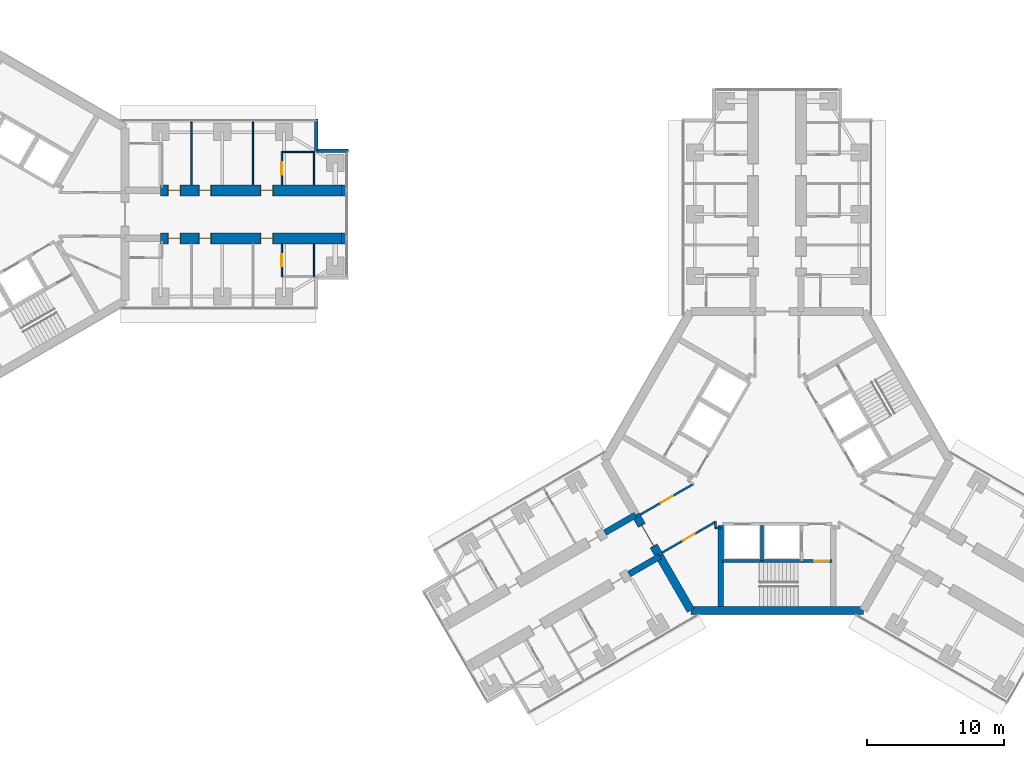
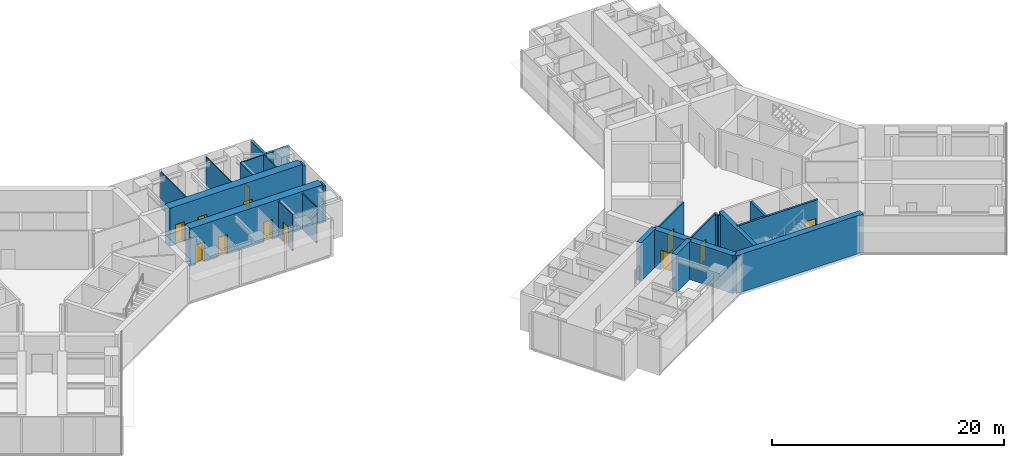
# One storey, part 18 of 23: 25 walls, 12 doors, 12 openings.
"""IFC4 building model written with IfcOpenShell, lengths in metres."""

import ifcopenshell
import ifcopenshell.guid

model = None  # the IFC model being written
_history = None  # IfcOwnerHistory: only IFC2X3 demands one
_inside = {}  # id of a spatial element -> (the spatial element, [elements in it])
_under = {}  # id of a project, library or spatial element -> (it, [spatial elements below it])
_declared = {}  # id of a project -> (the project, [libraries it declares])
_typed = {}  # id of a type object -> (the type object, [elements of that type])
_made_of = {}  # id of a material, layer set ... -> (it, [elements and type objects made of it])


def new_model(schema):
    """Start an empty IFC model of exactly this schema.

    Asked for "IFC4X3", IfcOpenShell would pick the latest addendum, in which some entities
    have other attributes; the version numbers below select the first issue.
    IFC2X3 requires an IfcOwnerHistory on every rooted entity: one is made here for all.
    """
    global model, _history
    if schema == "IFC4X3":
        model = ifcopenshell.file(schema_version=(4, 3, 0, 0))
    else:
        model = ifcopenshell.file(schema=schema)
    _inside.clear()
    _under.clear()
    _declared.clear()
    _typed.clear()
    _made_of.clear()
    _history = None
    if model.schema == "IFC2X3":
        org = make("IfcOrganization", Name="unknown")
        user = make(
            "IfcPersonAndOrganization",
            ThePerson=make("IfcPerson", FamilyName="unknown"),
            TheOrganization=org,
        )
        app = make(
            "IfcApplication",
            ApplicationDeveloper=org,
            Version="unknown",
            ApplicationFullName="unknown",
            ApplicationIdentifier="unknown",
        )
        _history = make(
            "IfcOwnerHistory",
            OwningUser=user,
            OwningApplication=app,
            ChangeAction="ADDED",
            CreationDate=0,
        )
    return model


def make(cls, **values):
    """One entity of the class cls with the attributes given. An attribute that is None is left unset."""
    return model.create_entity(
        cls, **{name: value for name, value in values.items() if value is not None}
    )


def rooted(cls, **values):
    """An entity with a GlobalId (a new one), such as an element, a storey or a relation."""
    return make(cls, GlobalId=ifcopenshell.guid.new(), OwnerHistory=_history, **values)


def si_unit(unit_type, name, prefix=None):
    """IfcSIUnit, for example si_unit("LENGTHUNIT", "METRE", prefix="MILLI")."""
    return make("IfcSIUnit", UnitType=unit_type, Prefix=prefix, Name=name)


def assignment(units):
    """IfcUnitAssignment: the units of a project."""
    return None if units is None else make("IfcUnitAssignment", Units=units)


def point(xyz):
    """IfcCartesianPoint."""
    return None if xyz is None else make("IfcCartesianPoint", Coordinates=xyz)


def direction(xyz):
    """IfcDirection."""
    return None if xyz is None else make("IfcDirection", DirectionRatios=xyz)


def frame(location, z_axis=None, x_axis=None):
    """IfcAxis2Placement3D, a coordinate frame: its origin and axes. An axis left out is left unset."""
    return make(
        "IfcAxis2Placement3D",
        Location=point(location),
        Axis=direction(z_axis),
        RefDirection=direction(x_axis),
    )


def frame_2d(location, x_axis=None):
    """IfcAxis2Placement2D, a coordinate frame in the plane: its origin and x axis."""
    return make(
        "IfcAxis2Placement2D", Location=point(location), RefDirection=direction(x_axis)
    )


def origin():
    """The frame at (0, 0, 0) with its axes left unset."""
    return frame((0.0, 0.0, 0.0))


def place(relative_to, where):
    """IfcLocalPlacement: puts the frame where relative to a parent placement (None: the world)."""
    return make(
        "IfcLocalPlacement", PlacementRelTo=relative_to, RelativePlacement=where
    )


def context(
    kind, dimensions, precision=None, world=None, true_north=None, identifier=None
):
    """IfcGeometricRepresentationContext, for example the 3D "Model" context."""
    return make(
        "IfcGeometricRepresentationContext",
        ContextIdentifier=identifier,
        ContextType=kind,
        CoordinateSpaceDimension=dimensions,
        Precision=precision,
        WorldCoordinateSystem=world,
        TrueNorth=true_north,
    )


def subcontext(parent, identifier, kind, view, scale=None):
    """IfcGeometricRepresentationSubContext, for example "Body" below "Model"."""
    return make(
        "IfcGeometricRepresentationSubContext",
        ContextIdentifier=identifier,
        ContextType=kind,
        ParentContext=parent,
        TargetScale=scale,
        TargetView=view,
    )


def project(units=None, contexts=None):
    """IfcProject with its units and contexts."""
    return rooted(
        "IfcProject",
        Name="project",
        RepresentationContexts=contexts,
        UnitsInContext=assignment(units),
    )


def spatial(cls, under=None, at=None, **own):
    """A site, building, storey or space (cls), placed at a placement, below another one or the project."""
    s = rooted(cls, ObjectPlacement=at, **own)
    if under is not None:
        _under.setdefault(under.id(), (under, []))[1].append(s)
    return s


def profile(cls, at=None, kind="AREA", **sizes):
    """A parametric profile (cls). Its sizes go by their IFC names, for example OverallWidth=200.0."""
    return make(cls, ProfileType=kind, Position=at, **sizes)


def rectangle(**sizes):
    """IfcRectangleProfileDef."""
    return profile("IfcRectangleProfileDef", **sizes)


def extrude(swept, where, along, depth):
    """IfcExtrudedAreaSolid: the profile swept, set in the frame where, extruded along a direction by depth."""
    return make(
        "IfcExtrudedAreaSolid",
        SweptArea=swept,
        Position=where,
        ExtrudedDirection=direction(along),
        Depth=depth,
    )


def shape(context_of_items, identifier, shape_type, items):
    """IfcShapeRepresentation: the items that make up one representation, for example the "Body"."""
    return make(
        "IfcShapeRepresentation",
        ContextOfItems=context_of_items,
        RepresentationIdentifier=identifier,
        RepresentationType=shape_type,
        Items=items,
    )


def material(Name=None, Category=None):
    """IfcMaterial."""
    return make("IfcMaterial", Name=Name, Category=Category)


def layer(
    of_material, thickness, ventilated=None, Name=None, Category=None, Priority=None
):
    """IfcMaterialLayer: one layer of a wall or slab, of a material (None: an air gap)."""
    return make(
        "IfcMaterialLayer",
        Material=of_material,
        LayerThickness=thickness,
        IsVentilated=ventilated,
        Name=Name,
        Category=Category,
        Priority=Priority,
    )


def layer_set(layers, Name=None):
    """IfcMaterialLayerSet."""
    return make("IfcMaterialLayerSet", MaterialLayers=layers, LayerSetName=Name)


def made_of(thing, what):
    """Note that an element or type object is made of a material, layer set ...; save() writes the relation."""
    if what is not None:
        _made_of.setdefault(what.id(), (what, []))[1].append(thing)
    return thing


def type_object(cls, material=None, **own):
    """A type object (cls), such as IfcWallType, which elements share."""
    return made_of(rooted(cls, **own), material)


def element(
    cls,
    number,
    at=None,
    inside=None,
    cuts=None,
    type_object=None,
    material=None,
    context=None,
    identifier="Body",
    shape_type=None,
    held_by="IfcProductDefinitionShape",
    body=None,
    shapes=None,
    **own,
):
    """One element of the class cls, such as IfcWall. Its Tag is "e" and its number.

    at: its placement. inside: the storey or other place that contains it. cuts: it is an
    opening in that element (IfcRelVoidsElement). A single representation is given by context,
    identifier, shape_type and body (its items); several are given by shapes. held_by: the class
    of the entity that holds the representations. save() writes the other relations.
    """
    e = rooted(cls, Tag="e%d" % number, ObjectPlacement=at, **own)
    if body is not None:
        shapes = [shape(context, identifier, shape_type, body)]
    if shapes is not None:
        e.Representation = make(held_by, Representations=shapes)
    if inside is not None:
        _inside.setdefault(inside.id(), (inside, []))[1].append(e)
    if cuts is not None:
        rooted(
            "IfcRelVoidsElement", RelatingBuildingElement=cuts, RelatedOpeningElement=e
        )
    if type_object is not None:
        _typed.setdefault(type_object.id(), (type_object, []))[1].append(e)
    return made_of(e, material)


def fill(opening, filler):
    """IfcRelFillsElement: the door or window that sits in an opening."""
    return rooted(
        "IfcRelFillsElement",
        RelatingOpeningElement=opening,
        RelatedBuildingElement=filler,
    )


def aggregate(whole, parts):
    """IfcRelAggregates: a whole, such as a stair, and the parts it consists of."""
    return rooted("IfcRelAggregates", RelatingObject=whole, RelatedObjects=parts)


def save(model, path):
    """Write the relations noted so far, then the file.

    IfcRelAggregates (storeys below a building ...), IfcRelContainedInSpatialStructure (elements
    in a storey), IfcRelDefinesByType, IfcRelAssociatesMaterial and IfcRelDeclares: one each for
    every whole, place, type object, material and project.
    """
    for whole, parts in _under.values():
        aggregate(whole, parts)
    for where, things in _inside.values():
        rooted(
            "IfcRelContainedInSpatialStructure",
            RelatedElements=things,
            RelatingStructure=where,
        )
    for kind, things in _typed.values():
        rooted("IfcRelDefinesByType", RelatedObjects=things, RelatingType=kind)
    for what, things in _made_of.values():
        rooted("IfcRelAssociatesMaterial", RelatedObjects=things, RelatingMaterial=what)
    for by, libraries in _declared.values():
        rooted("IfcRelDeclares", RelatingContext=by, RelatedDefinitions=libraries)
    model.write(path)


model = new_model("IFC4")

# Units and contexts
model_context = context("Model", 3, precision=1e-05, world=origin(), true_north=direction((0.0, 1.0)))
body_context = subcontext(model_context, "Body", "Model", "MODEL_VIEW")
ifc_project = project(units=[si_unit("LENGTHUNIT", "METRE"), si_unit("AREAUNIT", "SQUARE_METRE"), si_unit("VOLUMEUNIT", "CUBIC_METRE"), si_unit("PLANEANGLEUNIT", "RADIAN"), si_unit("MASSUNIT", "GRAM", prefix="KILO")], contexts=[model_context])

# Site, building, storey
site_placement = place(None, origin())
site = spatial("IfcSite", under=ifc_project, at=site_placement, CompositionType="ELEMENT")
building_placement = place(site_placement, origin())
building = spatial("IfcBuilding", under=site, at=building_placement, Name="Upepo Twin Towers", CompositionType="ELEMENT")
storey_placement = place(building_placement, frame((0.0, 0.0, 153.5)))
storey = spatial("IfcBuildingStorey", under=building, at=storey_placement, Name="L37", CompositionType="ELEMENT", Elevation=153.5)

# Walls
ifc_material_1 = material(Name="Dense concrete blockwork", Category="masonry")
ifc_layer_1 = layer(ifc_material_1, 0.800048828125)
ifc_layer_set_1 = layer_set([ifc_layer_1], Name="Buttress closer 800, blockwork with fire-stopping to the curtain wall")
wall_type_1 = type_object("IfcWallType", Name="Buttress closer 800, blockwork with fire-stopping to the curtain wall", PredefinedType="PARTITIONING", material=ifc_layer_set_1)
for number, where, z_axis, x_axis, name in (
    (1, (26.699951171875, 1.75, 0.0), (0.0, 0.0, 1.0), (1.0, 0.0, 0.0), "T1 L37 wing A buttress closer L"),
    (2, (26.699951171875, -1.75, 0.0), (0.0, 0.0, 1.0), (1.0, 0.0, 0.0), "T1 L37 wing A buttress closer R"),
):
    element("IfcWall", number, at=place(storey_placement, frame(where, z_axis=z_axis, x_axis=x_axis)), inside=storey, type_object=wall_type_1, Name=name, PredefinedType="PARTITIONING", context=body_context, shape_type="SweptSolid", body=[
        extrude(rectangle(XDim=0.300048828125, YDim=0.800048828125, at=frame_2d((0.14990234375, 0.0))), origin(), (0.0, 0.0, 1.0), 3.800048828125),
    ])
ifc_material_2 = material(Name="Concrete C60/75", Category="concrete")
ifc_layer_2 = layer(ifc_material_2, 0.449951171875)
ifc_layer_set_2 = layer_set([ifc_layer_2], Name="Concrete C60/75")
wall_type_2 = type_object("IfcWallType", Name="Buttress wall 450 RC", PredefinedType="SHEAR", material=ifc_layer_set_2)
for number, where, z_axis, x_axis, name in (
    (3, (49.92822265625, -24.9697265625, 0.0), (0.0, 0.0, 1.0), (-0.866031863473, -0.499988811324, 0.0), "T2 wing B buttress wall L"),
    (4, (48.17822265625, -21.938720703125, 0.0), (0.0, 0.0, 1.0), (-0.866072649678, -0.499918158782, 0.0), "T2 wing B buttress wall R"),
):
    element("IfcWall", number, at=place(storey_placement, frame(where, z_axis=z_axis, x_axis=x_axis)), inside=storey, type_object=wall_type_2, Name=name, PredefinedType="SHEAR", context=body_context, shape_type="SweptSolid", body=[
        extrude(rectangle(XDim=2.591796875, YDim=0.449951171875, at=frame_2d((1.2958984375, 0.0))), origin(), (0.0, 0.0, 1.0), 4.0),
    ])

# Wall, openings, doors
ifc_material_3 = material(Name="Concrete C60/75", Category="concrete")
ifc_layer_3 = layer(ifc_material_3, 0.800048828125)
ifc_layer_set_3 = layer_set([ifc_layer_3], Name="Concrete C60/75")
wall_type_3 = type_object("IfcWallType", Name="Buttress wall 800 RC", PredefinedType="SHEAR", material=ifc_layer_set_3)
wall_1_placement = place(storey_placement, frame((13.5, 1.75, 0.0), z_axis=(0.0, 0.0, 1.0), x_axis=(1.0, 0.0, 0.0)))
wall_1 = element("IfcWall", 5, at=wall_1_placement, inside=storey, type_object=wall_type_3, Name="T1 wing A buttress wall L part 2", PredefinedType="SHEAR", context=body_context, shape_type="SweptSolid", body=[
    extrude(rectangle(XDim=13.199951171875, YDim=0.800048828125, at=frame_2d((6.60009765625, 0.0))), origin(), (0.0, 0.0, 1.0), 4.0),
])
opening_1_placement = place(wall_1_placement, frame((0.550048828125, 0.0, 0.0)))
opening_1 = element("IfcOpeningElement", 6, at=opening_1_placement, cuts=wall_1, Name="Opening D11", PredefinedType="OPENING", context=body_context, shape_type="SweptSolid", body=[
    extrude(rectangle(XDim=0.89990234375, YDim=2.10009765625, at=frame_2d((0.449951171875, 1.050048828125))), frame((0.0, 0.409912109375, 0.0), z_axis=(0.0, -1.0, 0.0), x_axis=(1.0, 0.0, 0.0)), (0.0, 0.0, 1.0), 0.820068359375),
])
opening_2_placement = place(wall_1_placement, frame((2.800048828125, 0.0, 0.0)))
opening_2 = element("IfcOpeningElement", 7, at=opening_2_placement, cuts=wall_1, Name="Opening D14", PredefinedType="OPENING", context=body_context, shape_type="SweptSolid", body=[
    extrude(rectangle(XDim=0.89990234375, YDim=2.10009765625, at=frame_2d((0.449951171875, 1.050048828125))), frame((0.0, 0.409912109375, 0.0), z_axis=(0.0, -1.0, 0.0), x_axis=(1.0, 0.0, 0.0)), (0.0, 0.0, 1.0), 0.820068359375),
])
opening_3_placement = place(wall_1_placement, frame((7.300048828125, 0.0, 0.0)))
opening_3 = element("IfcOpeningElement", 8, at=opening_3_placement, cuts=wall_1, Name="Opening D14", PredefinedType="OPENING", context=body_context, shape_type="SweptSolid", body=[
    extrude(rectangle(XDim=0.89990234375, YDim=2.10009765625, at=frame_2d((0.449951171875, 1.050048828125))), frame((0.0, 0.409912109375, 0.0), z_axis=(0.0, -1.0, 0.0), x_axis=(1.0, 0.0, 0.0)), (0.0, 0.0, 1.0), 0.820068359375),
])
ifc_material_4 = material(Name="Timber doorset", Category="wood")
door_type_1 = type_object("IfcDoorType", Name="Office door 900 FD30", OperationType="SINGLE_SWING_LEFT", PredefinedType="DOOR", material=ifc_material_4)
door_1_placement = place(opening_2_placement, origin())
door_1 = element("IfcDoor", 9, at=door_1_placement, inside=storey, type_object=door_type_1, Name="T1 L37 staff office door", OperationType="SINGLE_SWING_LEFT", OverallHeight=2.10009765625, OverallWidth=0.89990234375, PredefinedType="DOOR", context=body_context, shape_type="SweptSolid", body=[
    extrude(rectangle(XDim=0.81990234375, YDim=2.06009765625, at=frame_2d((0.449951171875, 1.030029296875))), frame((0.0, 0.02490234375, 0.0), z_axis=(0.0, -1.0, 0.0), x_axis=(1.0, 0.0, 0.0)), (0.0, 0.0, 1.0), 0.050048828125),
    extrude(rectangle(XDim=0.04, YDim=2.10009765625, at=frame_2d((0.02001953125, 1.050048828125))), frame((0.0, 0.39990234375, 0.0), z_axis=(0.0, -1.0, 0.0), x_axis=(1.0, 0.0, 0.0)), (0.0, 0.0, 1.0), 0.799560546875),
    extrude(rectangle(XDim=0.04, YDim=2.10009765625, at=frame_2d((0.8798828125, 1.050048828125))), frame((0.0, 0.39990234375, 0.0), z_axis=(0.0, -1.0, 0.0), x_axis=(1.0, 0.0, 0.0)), (0.0, 0.0, 1.0), 0.799560546875),
    extrude(rectangle(XDim=0.81990234375, YDim=0.04, at=frame_2d((0.449951171875, 2.080078125))), frame((0.0, 0.39990234375, 0.0), z_axis=(0.0, -1.0, 0.0), x_axis=(1.0, 0.0, 0.0)), (0.0, 0.0, 1.0), 0.799560546875),
])
fill(opening_2, door_1)
door_2_placement = place(opening_3_placement, origin())
door_2 = element("IfcDoor", 10, at=door_2_placement, inside=storey, type_object=door_type_1, Name="T1 L37 postgraduate office door", OperationType="SINGLE_SWING_RIGHT", OverallHeight=2.10009765625, OverallWidth=0.89990234375, PredefinedType="DOOR", context=body_context, shape_type="SweptSolid", body=[
    extrude(rectangle(XDim=0.81990234375, YDim=2.06009765625, at=frame_2d((0.449951171875, 1.030029296875))), frame((0.0, 0.02490234375, 0.0), z_axis=(0.0, -1.0, 0.0), x_axis=(1.0, 0.0, 0.0)), (0.0, 0.0, 1.0), 0.050048828125),
    extrude(rectangle(XDim=0.04, YDim=2.10009765625, at=frame_2d((0.02001953125, 1.050048828125))), frame((0.0, 0.39990234375, 0.0), z_axis=(0.0, -1.0, 0.0), x_axis=(1.0, 0.0, 0.0)), (0.0, 0.0, 1.0), 0.799560546875),
    extrude(rectangle(XDim=0.04, YDim=2.10009765625, at=frame_2d((0.8798828125, 1.050048828125))), frame((0.0, 0.39990234375, 0.0), z_axis=(0.0, -1.0, 0.0), x_axis=(1.0, 0.0, 0.0)), (0.0, 0.0, 1.0), 0.799560546875),
    extrude(rectangle(XDim=0.81990234375, YDim=0.04, at=frame_2d((0.449951171875, 2.080078125))), frame((0.0, 0.39990234375, 0.0), z_axis=(0.0, -1.0, 0.0), x_axis=(1.0, 0.0, 0.0)), (0.0, 0.0, 1.0), 0.799560546875),
])
fill(opening_3, door_2)
ifc_material_5 = material(Name="Timber doorset", Category="wood")
door_type_2 = type_object("IfcDoorType", Name="Toilet door 900", OperationType="SINGLE_SWING_LEFT", PredefinedType="DOOR", material=ifc_material_5)
door_3_placement = place(opening_1_placement, origin())
door_3 = element("IfcDoor", 11, at=door_3_placement, inside=storey, type_object=door_type_2, Name="T1 L37 accessible wc door", OperationType="SINGLE_SWING_LEFT", OverallHeight=2.10009765625, OverallWidth=0.89990234375, PredefinedType="DOOR", context=body_context, shape_type="SweptSolid", body=[
    extrude(rectangle(XDim=0.81990234375, YDim=2.06009765625, at=frame_2d((0.449951171875, 1.030029296875))), frame((0.0, 0.02490234375, 0.0), z_axis=(0.0, -1.0, 0.0), x_axis=(1.0, 0.0, 0.0)), (0.0, 0.0, 1.0), 0.050048828125),
    extrude(rectangle(XDim=0.04, YDim=2.10009765625, at=frame_2d((0.02001953125, 1.050048828125))), frame((0.0, 0.39990234375, 0.0), z_axis=(0.0, -1.0, 0.0), x_axis=(1.0, 0.0, 0.0)), (0.0, 0.0, 1.0), 0.799560546875),
    extrude(rectangle(XDim=0.04, YDim=2.10009765625, at=frame_2d((0.8798828125, 1.050048828125))), frame((0.0, 0.39990234375, 0.0), z_axis=(0.0, -1.0, 0.0), x_axis=(1.0, 0.0, 0.0)), (0.0, 0.0, 1.0), 0.799560546875),
    extrude(rectangle(XDim=0.81990234375, YDim=0.04, at=frame_2d((0.449951171875, 2.080078125))), frame((0.0, 0.39990234375, 0.0), z_axis=(0.0, -1.0, 0.0), x_axis=(1.0, 0.0, 0.0)), (0.0, 0.0, 1.0), 0.799560546875),
])
fill(opening_1, door_3)

wall_2_placement = place(storey_placement, frame((13.5, -1.75, 0.0), z_axis=(0.0, 0.0, 1.0), x_axis=(1.0, 0.0, 0.0)))
wall_2 = element("IfcWall", 12, at=wall_2_placement, inside=storey, type_object=wall_type_3, Name="T1 wing A buttress wall R part 2", PredefinedType="SHEAR", context=body_context, shape_type="SweptSolid", body=[
    extrude(rectangle(XDim=13.199951171875, YDim=0.800048828125, at=frame_2d((6.60009765625, 0.0))), origin(), (0.0, 0.0, 1.0), 4.0),
])
opening_4_placement = place(wall_2_placement, frame((0.550048828125, 0.0, 0.0)))
opening_4 = element("IfcOpeningElement", 13, at=opening_4_placement, cuts=wall_2, Name="Opening D11", PredefinedType="OPENING", context=body_context, shape_type="SweptSolid", body=[
    extrude(rectangle(XDim=0.89990234375, YDim=2.10009765625, at=frame_2d((0.449951171875, 1.050048828125))), frame((0.0, 0.409912109375, 0.0), z_axis=(0.0, -1.0, 0.0), x_axis=(1.0, 0.0, 0.0)), (0.0, 0.0, 1.0), 0.820068359375),
])
opening_5_placement = place(wall_2_placement, frame((2.800048828125, 0.0, 0.0)))
opening_5 = element("IfcOpeningElement", 14, at=opening_5_placement, cuts=wall_2, Name="Opening D14", PredefinedType="OPENING", context=body_context, shape_type="SweptSolid", body=[
    extrude(rectangle(XDim=0.89990234375, YDim=2.10009765625, at=frame_2d((0.449951171875, 1.050048828125))), frame((0.0, 0.409912109375, 0.0), z_axis=(0.0, -1.0, 0.0), x_axis=(1.0, 0.0, 0.0)), (0.0, 0.0, 1.0), 0.820068359375),
])
opening_6_placement = place(wall_2_placement, frame((7.300048828125, 0.0, 0.0)))
opening_6 = element("IfcOpeningElement", 15, at=opening_6_placement, cuts=wall_2, Name="Opening D14", PredefinedType="OPENING", context=body_context, shape_type="SweptSolid", body=[
    extrude(rectangle(XDim=0.89990234375, YDim=2.10009765625, at=frame_2d((0.449951171875, 1.050048828125))), frame((0.0, 0.409912109375, 0.0), z_axis=(0.0, -1.0, 0.0), x_axis=(1.0, 0.0, 0.0)), (0.0, 0.0, 1.0), 0.820068359375),
])
door_4_placement = place(opening_5_placement, origin())
door_4 = element("IfcDoor", 16, at=door_4_placement, inside=storey, type_object=door_type_1, Name="T1 L37 meeting room door", OperationType="SINGLE_SWING_LEFT", OverallHeight=2.10009765625, OverallWidth=0.89990234375, PredefinedType="DOOR", context=body_context, shape_type="SweptSolid", body=[
    extrude(rectangle(XDim=0.81990234375, YDim=2.06009765625, at=frame_2d((0.449951171875, 1.030029296875))), frame((0.0, 0.02490234375, 0.0), z_axis=(0.0, -1.0, 0.0), x_axis=(1.0, 0.0, 0.0)), (0.0, 0.0, 1.0), 0.050048828125),
    extrude(rectangle(XDim=0.04, YDim=2.10009765625, at=frame_2d((0.02001953125, 1.050048828125))), frame((0.0, 0.39990234375, 0.0), z_axis=(0.0, -1.0, 0.0), x_axis=(1.0, 0.0, 0.0)), (0.0, 0.0, 1.0), 0.799560546875),
    extrude(rectangle(XDim=0.04, YDim=2.10009765625, at=frame_2d((0.8798828125, 1.050048828125))), frame((0.0, 0.39990234375, 0.0), z_axis=(0.0, -1.0, 0.0), x_axis=(1.0, 0.0, 0.0)), (0.0, 0.0, 1.0), 0.799560546875),
    extrude(rectangle(XDim=0.81990234375, YDim=0.04, at=frame_2d((0.449951171875, 2.080078125))), frame((0.0, 0.39990234375, 0.0), z_axis=(0.0, -1.0, 0.0), x_axis=(1.0, 0.0, 0.0)), (0.0, 0.0, 1.0), 0.799560546875),
])
fill(opening_5, door_4)
door_5_placement = place(opening_6_placement, origin())
door_5 = element("IfcDoor", 17, at=door_5_placement, inside=storey, type_object=door_type_1, Name="T1 L37 staff office door", OperationType="SINGLE_SWING_RIGHT", OverallHeight=2.10009765625, OverallWidth=0.89990234375, PredefinedType="DOOR", context=body_context, shape_type="SweptSolid", body=[
    extrude(rectangle(XDim=0.81990234375, YDim=2.06009765625, at=frame_2d((0.449951171875, 1.030029296875))), frame((0.0, 0.02490234375, 0.0), z_axis=(0.0, -1.0, 0.0), x_axis=(1.0, 0.0, 0.0)), (0.0, 0.0, 1.0), 0.050048828125),
    extrude(rectangle(XDim=0.04, YDim=2.10009765625, at=frame_2d((0.02001953125, 1.050048828125))), frame((0.0, 0.39990234375, 0.0), z_axis=(0.0, -1.0, 0.0), x_axis=(1.0, 0.0, 0.0)), (0.0, 0.0, 1.0), 0.799560546875),
    extrude(rectangle(XDim=0.04, YDim=2.10009765625, at=frame_2d((0.8798828125, 1.050048828125))), frame((0.0, 0.39990234375, 0.0), z_axis=(0.0, -1.0, 0.0), x_axis=(1.0, 0.0, 0.0)), (0.0, 0.0, 1.0), 0.799560546875),
    extrude(rectangle(XDim=0.81990234375, YDim=0.04, at=frame_2d((0.449951171875, 2.080078125))), frame((0.0, 0.39990234375, 0.0), z_axis=(0.0, -1.0, 0.0), x_axis=(1.0, 0.0, 0.0)), (0.0, 0.0, 1.0), 0.799560546875),
])
fill(opening_6, door_5)
door_6_placement = place(opening_4_placement, origin())
door_6 = element("IfcDoor", 18, at=door_6_placement, inside=storey, type_object=door_type_2, Name="T1 L37 toilets door", OperationType="SINGLE_SWING_LEFT", OverallHeight=2.10009765625, OverallWidth=0.89990234375, PredefinedType="DOOR", context=body_context, shape_type="SweptSolid", body=[
    extrude(rectangle(XDim=0.81990234375, YDim=2.06009765625, at=frame_2d((0.449951171875, 1.030029296875))), frame((0.0, 0.02490234375, 0.0), z_axis=(0.0, -1.0, 0.0), x_axis=(1.0, 0.0, 0.0)), (0.0, 0.0, 1.0), 0.050048828125),
    extrude(rectangle(XDim=0.04, YDim=2.10009765625, at=frame_2d((0.02001953125, 1.050048828125))), frame((0.0, 0.39990234375, 0.0), z_axis=(0.0, -1.0, 0.0), x_axis=(1.0, 0.0, 0.0)), (0.0, 0.0, 1.0), 0.799560546875),
    extrude(rectangle(XDim=0.04, YDim=2.10009765625, at=frame_2d((0.8798828125, 1.050048828125))), frame((0.0, 0.39990234375, 0.0), z_axis=(0.0, -1.0, 0.0), x_axis=(1.0, 0.0, 0.0)), (0.0, 0.0, 1.0), 0.799560546875),
    extrude(rectangle(XDim=0.81990234375, YDim=0.04, at=frame_2d((0.449951171875, 2.080078125))), frame((0.0, 0.39990234375, 0.0), z_axis=(0.0, -1.0, 0.0), x_axis=(1.0, 0.0, 0.0)), (0.0, 0.0, 1.0), 0.799560546875),
])
fill(opening_4, door_6)

# Wall, opening, door
ifc_material_6 = material(Name="Concrete C60/75", Category="concrete")
ifc_layer_4 = layer(ifc_material_6, 0.60009765625)
ifc_layer_set_4 = layer_set([ifc_layer_4], Name="Concrete C60/75")
wall_type_4 = type_object("IfcWallType", Name="Core wall 600 RC", PredefinedType="SHEAR", material=ifc_layer_set_4)
wall_3_placement = place(storey_placement, frame((48.17822265625, -21.938720703125, 0.0), z_axis=(0.0, 0.0, 1.0), x_axis=(0.500010275428, -0.866019471182, 0.0)))
wall_3 = element("IfcWall", 19, at=wall_3_placement, inside=storey, type_object=wall_type_4, Name="T2 core wall 120", PredefinedType="SHEAR", context=body_context, shape_type="SweptSolid", body=[
    extrude(rectangle(XDim=3.5, YDim=0.60009765625, at=frame_2d((1.75, 0.0))), origin(), (0.0, 0.0, 1.0), 4.0),
])
opening_7_placement = place(wall_3_placement, frame((0.85009765625, 0.0, 0.0)))
opening_7 = element("IfcOpeningElement", 20, at=opening_7_placement, cuts=wall_3, Name="Opening D2", PredefinedType="OPENING", context=body_context, shape_type="SweptSolid", body=[
    extrude(rectangle(XDim=1.800048828125, YDim=2.10009765625, at=frame_2d((0.89990234375, 1.050048828125))), frame((0.0, 0.31005859375, 0.0), z_axis=(0.0, -1.0, 0.0), x_axis=(1.0, 0.0, 0.0)), (0.0, 0.0, 1.0), 0.6201171875),
])
ifc_material_7 = material(Name="Timber doorset", Category="wood")
door_type_3 = type_object("IfcDoorType", Name="Corridor double door 1800 FD60", OperationType="DOUBLE_DOOR_DOUBLE_SWING", PredefinedType="DOOR", material=ifc_material_7)
door_7_placement = place(opening_7_placement, origin())
door_7 = element("IfcDoor", 21, at=door_7_placement, inside=storey, type_object=door_type_3, Name="T2 L37 wing B corridor door", OperationType="DOUBLE_DOOR_DOUBLE_SWING", OverallHeight=2.10009765625, OverallWidth=1.800048828125, PredefinedType="DOOR", context=body_context, shape_type="SweptSolid", body=[
    extrude(rectangle(XDim=1.720048828125, YDim=2.06009765625, at=frame_2d((0.89990234375, 1.030029296875))), frame((0.0, 0.02490234375, 0.0), z_axis=(0.0, -1.0, 0.0), x_axis=(1.0, 0.0, 0.0)), (0.0, 0.0, 1.0), 0.050048828125),
    extrude(rectangle(XDim=0.04, YDim=2.10009765625, at=frame_2d((0.02001953125, 1.050048828125))), frame((0.0, 0.2998046875, 0.0), z_axis=(0.0, -1.0, 0.0), x_axis=(1.0, 0.0, 0.0)), (0.0, 0.0, 1.0), 0.599609375),
    extrude(rectangle(XDim=0.04, YDim=2.10009765625, at=frame_2d((1.780029296875, 1.050048828125))), frame((0.0, 0.2998046875, 0.0), z_axis=(0.0, -1.0, 0.0), x_axis=(1.0, 0.0, 0.0)), (0.0, 0.0, 1.0), 0.599609375),
    extrude(rectangle(XDim=1.720048828125, YDim=0.04, at=frame_2d((0.89990234375, 2.080078125))), frame((0.0, 0.2998046875, 0.0), z_axis=(0.0, -1.0, 0.0), x_axis=(1.0, 0.0, 0.0)), (0.0, 0.0, 1.0), 0.599609375),
])
fill(opening_7, door_7)

# Walls
wall_4_placement = place(storey_placement, frame((49.92822265625, -24.9697265625, 0.0), z_axis=(0.0, 0.0, 1.0), x_axis=(0.499984222037, -0.866034513004, 0.0)))
element("IfcWall", 22, at=wall_4_placement, inside=storey, type_object=wall_type_4, Name="T2 core wall 120 L", PredefinedType="SHEAR", context=body_context, shape_type="SweptSolid", body=[
    extrude(rectangle(XDim=4.548095703125, YDim=0.60009765625, at=frame_2d((2.27392578125, 0.0))), origin(), (0.0, 0.0, 1.0), 4.0),
])
wall_5_placement = place(storey_placement, frame((52.2021484375, -28.908447265625, 0.0), z_axis=(0.0, 0.0, 1.0), x_axis=(1.0, 0.0, 0.0)))
element("IfcWall", 23, at=wall_5_placement, inside=storey, type_object=wall_type_4, Name="T2 core wall 180", PredefinedType="SHEAR", context=body_context, shape_type="SweptSolid", body=[
    extrude(rectangle(XDim=12.595703125, YDim=0.60009765625, at=frame_2d((6.2978515625, 0.0))), origin(), (0.0, 0.0, 1.0), 4.0),
])
ifc_material_8 = material(Name="Blockwork with anodised aluminium cladding", Category="masonry")
ifc_layer_5 = layer(ifc_material_8, 0.25)
ifc_layer_set_5 = layer_set([ifc_layer_5], Name="Notch cladding wall 250, pale metal")
wall_type_5 = type_object("IfcWallType", Name="Notch cladding wall 250, pale metal", PredefinedType="STANDARD", material=ifc_layer_set_5)
for number, where, z_axis, x_axis, name in (
    (24, (24.875, 6.949951171875, 0.0), (0.0, 0.0, 1.0), (0.0, -1.0, 0.0), "T1 L37 wing A notch wall L1"),
    (25, (24.875, 4.625, 0.0), (0.0, 0.0, 1.0), (1.0, 0.0, 0.0), "T1 L37 wing A notch wall L2"),
):
    element("IfcWall", number, at=place(storey_placement, frame(where, z_axis=z_axis, x_axis=x_axis)), inside=storey, type_object=wall_type_5, Name=name, PredefinedType="STANDARD", context=body_context, shape_type="SweptSolid", body=[
        extrude(rectangle(XDim=2.324951171875, YDim=0.25, at=frame_2d((1.16259765625, 0.0))), origin(), (0.0, 0.0, 1.0), 3.800048828125),
    ])
ifc_material_9 = material(Name="Gypsum board on steel studs", Category="steel")
ifc_layer_6 = layer(ifc_material_9, 0.10009765625)
ifc_layer_set_6 = layer_set([ifc_layer_6], Name="Office partition 100 stud")
wall_type_6 = type_object("IfcWallType", Name="Office partition 100 stud", PredefinedType="PARTITIONING", material=ifc_layer_set_6)
for number, where, z_axis, x_axis, name in (
    (26, (15.75, 2.14990234375, 0.0), (0.0, 0.0, 1.0), (0.0, 1.0, 0.0), "T1 partition AL at 15.75"),
    (27, (20.25, 2.14990234375, 0.0), (0.0, 0.0, 1.0), (0.0, 1.0, 0.0), "T1 partition AL at 20.25"),
):
    element("IfcWall", number, at=place(storey_placement, frame(where, z_axis=z_axis, x_axis=x_axis)), inside=storey, type_object=wall_type_6, Name=name, PredefinedType="PARTITIONING", context=body_context, shape_type="SweptSolid", body=[
        extrude(rectangle(XDim=4.60009765625, YDim=0.10009765625, at=frame_2d((2.300048828125, 0.0))), origin(), (0.0, 0.0, 1.0), 3.800048828125),
    ])
wall_6_placement = place(storey_placement, frame((22.35009765625, 4.550048828125, 0.0), z_axis=(0.0, 0.0, 1.0), x_axis=(1.0, 0.0, 0.0)))
element("IfcWall", 28, at=wall_6_placement, inside=storey, type_object=wall_type_6, Name="T1 inner room partition AL at 22.35", PredefinedType="PARTITIONING", context=body_context, shape_type="SweptSolid", body=[
    extrude(rectangle(XDim=2.39990234375, YDim=0.10009765625, at=frame_2d((1.199951171875, 0.0))), origin(), (0.0, 0.0, 1.0), 3.800048828125),
])

# Wall, opening, door
wall_7_placement = place(storey_placement, frame((22.35009765625, 2.14990234375, 0.0), z_axis=(0.0, 0.0, 1.0), x_axis=(0.0, 1.0, 0.0)))
wall_7 = element("IfcWall", 29, at=wall_7_placement, inside=storey, type_object=wall_type_6, Name="T1 inner room partition AL end at 22.35", PredefinedType="PARTITIONING", context=body_context, shape_type="SweptSolid", body=[
    extrude(rectangle(XDim=2.400146484375, YDim=0.10009765625, at=frame_2d((1.2001953125, 0.0))), origin(), (0.0, 0.0, 1.0), 3.800048828125),
])
opening_8_placement = place(wall_7_placement, frame((0.75, 0.0, 0.0)))
opening_8 = element("IfcOpeningElement", 30, at=opening_8_placement, cuts=wall_7, Name="Opening D14", PredefinedType="OPENING", context=body_context, shape_type="SweptSolid", body=[
    extrude(rectangle(XDim=0.89990234375, YDim=2.10009765625, at=frame_2d((0.449951171875, 1.050048828125))), frame((0.0, 0.06005859375, 0.0), z_axis=(0.0, -1.0, 0.0), x_axis=(1.0, 0.0, 0.0)), (0.0, 0.0, 1.0), 0.1201171875),
])
door_8_placement = place(opening_8_placement, origin())
door_8 = element("IfcDoor", 31, at=door_8_placement, inside=storey, type_object=door_type_1, Name="T1 L37 inner room door", OperationType="SINGLE_SWING_LEFT", OverallHeight=2.10009765625, OverallWidth=0.89990234375, PredefinedType="DOOR", context=body_context, shape_type="SweptSolid", body=[
    extrude(rectangle(XDim=0.89990234375, YDim=2.10009765625, at=frame_2d((0.449951171875, 1.050048828125))), frame((0.0, 0.02490234375, 0.0), z_axis=(0.0, -1.0, 0.0), x_axis=(1.0, 0.0, 0.0)), (0.0, 0.0, 1.0), 0.050048828125),
])
fill(opening_8, door_8)

# Wall
wall_8_placement = place(storey_placement, frame((24.699951171875, 2.14990234375, 0.0), z_axis=(0.0, 0.0, 1.0), x_axis=(0.0, 1.0, 0.0)))
element("IfcWall", 32, at=wall_8_placement, inside=storey, type_object=wall_type_6, Name="T1 inner room partition AL end at 24.75", PredefinedType="PARTITIONING", context=body_context, shape_type="SweptSolid", body=[
    extrude(rectangle(XDim=2.400146484375, YDim=0.10009765625, at=frame_2d((1.2001953125, 0.0))), origin(), (0.0, 0.0, 1.0), 3.800048828125),
])

# Wall, opening, door
wall_9_placement = place(storey_placement, frame((22.35009765625, -2.14990234375, 0.0), z_axis=(0.0, 0.0, 1.0), x_axis=(0.0, -1.0, 0.0)))
wall_9 = element("IfcWall", 33, at=wall_9_placement, inside=storey, type_object=wall_type_6, Name="T1 inner room partition AR end at 22.35", PredefinedType="PARTITIONING", context=body_context, shape_type="SweptSolid", body=[
    extrude(rectangle(XDim=2.400146484375, YDim=0.10009765625, at=frame_2d((1.2001953125, 0.0))), origin(), (0.0, 0.0, 1.0), 3.800048828125),
])
opening_9_placement = place(wall_9_placement, frame((0.75, 0.0, 0.0)))
opening_9 = element("IfcOpeningElement", 34, at=opening_9_placement, cuts=wall_9, Name="Opening D14", PredefinedType="OPENING", context=body_context, shape_type="SweptSolid", body=[
    extrude(rectangle(XDim=0.89990234375, YDim=2.10009765625, at=frame_2d((0.449951171875, 1.050048828125))), frame((0.0, 0.06005859375, 0.0), z_axis=(0.0, -1.0, 0.0), x_axis=(1.0, 0.0, 0.0)), (0.0, 0.0, 1.0), 0.1201171875),
])
door_9_placement = place(opening_9_placement, origin())
door_9 = element("IfcDoor", 35, at=door_9_placement, inside=storey, type_object=door_type_1, Name="T1 L37 inner room door", OperationType="SINGLE_SWING_LEFT", OverallHeight=2.10009765625, OverallWidth=0.89990234375, PredefinedType="DOOR", context=body_context, shape_type="SweptSolid", body=[
    extrude(rectangle(XDim=0.89990234375, YDim=2.10009765625, at=frame_2d((0.449951171875, 1.050048828125))), frame((0.0, 0.02490234375, 0.0), z_axis=(0.0, -1.0, 0.0), x_axis=(1.0, 0.0, 0.0)), (0.0, 0.0, 1.0), 0.050048828125),
])
fill(opening_9, door_9)

# Walls
wall_10_placement = place(storey_placement, frame((24.699951171875, -2.14990234375, 0.0), z_axis=(0.0, 0.0, 1.0), x_axis=(0.0, -1.0, 0.0)))
element("IfcWall", 36, at=wall_10_placement, inside=storey, type_object=wall_type_6, Name="T1 inner room partition AR end at 24.75", PredefinedType="PARTITIONING", context=body_context, shape_type="SweptSolid", body=[
    extrude(rectangle(XDim=2.400146484375, YDim=0.10009765625, at=frame_2d((1.2001953125, 0.0))), origin(), (0.0, 0.0, 1.0), 3.800048828125),
])
ifc_material_10 = material(Name="Concrete C40/50", Category="concrete")
ifc_layer_7 = layer(ifc_material_10, 0.199951171875)
ifc_layer_set_7 = layer_set([ifc_layer_7], Name="Concrete C40/50")
wall_type_7 = type_object("IfcWallType", Name="Shaft wall 200 RC", PredefinedType="SHEAR", material=ifc_layer_set_7)
wall_11_placement = place(storey_placement, frame((57.39990234375, -22.699951171875, 0.0), z_axis=(0.0, 0.0, 1.0), x_axis=(0.0, -1.0, 0.0)))
element("IfcWall", 37, at=wall_11_placement, inside=storey, type_object=wall_type_7, Name="T2 core W180 shaft divider", PredefinedType="SHEAR", context=body_context, shape_type="SweptSolid", body=[
    extrude(rectangle(XDim=2.60009765625, YDim=0.199951171875, at=frame_2d((1.300048828125, 0.0))), origin(), (0.0, 0.0, 1.0), 4.0),
])

# Wall, opening, door
wall_12_placement = place(storey_placement, frame((54.5, -25.300048828125, 0.0), z_axis=(0.0, 0.0, 1.0), x_axis=(1.0, 0.0, 0.0)))
wall_12 = element("IfcWall", 38, at=wall_12_placement, inside=storey, type_object=wall_type_7, Name="T2 core W180 stair wall", PredefinedType="SHEAR", context=body_context, shape_type="SweptSolid", body=[
    extrude(rectangle(XDim=8.0, YDim=0.199951171875, at=frame_2d((4.0, 0.0))), origin(), (0.0, 0.0, 1.0), 4.0),
])
opening_10_placement = place(wall_12_placement, frame((6.699951171875, 0.0, 0.0)))
opening_10 = element("IfcOpeningElement", 39, at=opening_10_placement, cuts=wall_12, Name="Opening D3", PredefinedType="OPENING", context=body_context, shape_type="SweptSolid", body=[
    extrude(rectangle(XDim=1.10009765625, YDim=2.10009765625, at=frame_2d((0.550048828125, 1.050048828125))), frame((0.0, 0.10986328125, 0.0), z_axis=(0.0, -1.0, 0.0), x_axis=(1.0, 0.0, 0.0)), (0.0, 0.0, 1.0), 0.219970703125),
])
ifc_material_11 = material(Name="Timber doorset", Category="wood")
door_type_4 = type_object("IfcDoorType", Name="Stair door 1100 FD60", OperationType="SINGLE_SWING_LEFT", PredefinedType="DOOR", material=ifc_material_11)
door_10_placement = place(opening_10_placement, origin())
door_10 = element("IfcDoor", 40, at=door_10_placement, inside=storey, type_object=door_type_4, Name="T2 L37 stair door", OperationType="SINGLE_SWING_RIGHT", OverallHeight=2.10009765625, OverallWidth=1.10009765625, PredefinedType="DOOR", context=body_context, shape_type="SweptSolid", body=[
    extrude(rectangle(XDim=1.10009765625, YDim=2.10009765625, at=frame_2d((0.550048828125, 1.050048828125))), frame((0.0, 0.02490234375, 0.0), z_axis=(0.0, -1.0, 0.0), x_axis=(1.0, 0.0, 0.0)), (0.0, 0.0, 1.0), 0.050048828125),
])
fill(opening_10, door_10)

# Walls
ifc_material_12 = material(Name="Concrete C40/50", Category="concrete")
ifc_layer_8 = layer(ifc_material_12, 0.39990234375)
ifc_layer_set_8 = layer_set([ifc_layer_8], Name="Concrete C40/50")
wall_type_8 = type_object("IfcWallType", Name="Shaft wall 400 RC", PredefinedType="SHEAR", material=ifc_layer_set_8)
wall_13_placement = place(storey_placement, frame((54.39990234375, -22.699951171875, 0.0), z_axis=(0.0, 0.0, 1.0), x_axis=(0.0, -1.0, 0.0)))
element("IfcWall", 41, at=wall_13_placement, inside=storey, type_object=wall_type_8, Name="T2 core W180 side wall S", PredefinedType="SHEAR", context=body_context, shape_type="SweptSolid", body=[
    extrude(rectangle(XDim=5.908447265625, YDim=0.39990234375, at=frame_2d((2.9541015625, 0.0))), origin(), (0.0, 0.0, 1.0), 4.0),
])
ifc_material_13 = material(Name="Gypsum board on steel studs", Category="steel")
ifc_layer_9 = layer(ifc_material_13, 0.14990234375)
ifc_layer_set_9 = layer_set([ifc_layer_9], Name="Teaching partition 150 acoustic")
wall_type_9 = type_object("IfcWallType", Name="Teaching partition 150 acoustic", PredefinedType="PARTITIONING", material=ifc_layer_set_9)
wall_14_placement = place(storey_placement, frame((54.0, -22.919921875, 0.0), z_axis=(0.0, 0.0, 1.0), x_axis=(0.0, 1.0, 0.0)))
element("IfcWall", 42, at=wall_14_placement, inside=storey, type_object=wall_type_9, Name="T2 core room partition 1", PredefinedType="PARTITIONING", context=body_context, shape_type="SweptSolid", body=[
    extrude(rectangle(XDim=0.494384765625, YDim=0.14990234375, at=frame_2d((0.2470703125, 0.0))), origin(), (0.0, 0.0, 1.0), 3.800048828125),
])

# Wall, opening, door
wall_15_placement = place(storey_placement, frame((54.017333984375, -22.435546875, 0.0), z_axis=(0.0, 0.0, 1.0), x_axis=(-0.86602002524, -0.500009315796, 0.0)))
wall_15 = element("IfcWall", 43, at=wall_15_placement, inside=storey, type_object=wall_type_9, Name="T2 core room partition 2", PredefinedType="PARTITIONING", context=body_context, shape_type="SweptSolid", body=[
    extrude(rectangle(XDim=4.5185546875, YDim=0.14990234375, at=frame_2d((2.25927734375, 0.0))), origin(), (0.0, 0.0, 1.0), 3.800048828125),
])
opening_11_placement = place(wall_15_placement, frame((1.769287109375, 0.0, 0.0)))
opening_11 = element("IfcOpeningElement", 44, at=opening_11_placement, cuts=wall_15, Name="Opening D1", PredefinedType="OPENING", context=body_context, shape_type="SweptSolid", body=[
    extrude(rectangle(XDim=1.0, YDim=2.10009765625, at=frame_2d((0.5, 1.050048828125))), frame((0.0, 0.0849609375, 0.0), z_axis=(0.0, -1.0, 0.0), x_axis=(1.0, 0.0, 0.0)), (0.0, 0.0, 1.0), 0.169921875),
])
ifc_material_14 = material(Name="Timber doorset", Category="wood")
door_type_5 = type_object("IfcDoorType", Name="Room door 1000 FD30", OperationType="SINGLE_SWING_LEFT", PredefinedType="DOOR", material=ifc_material_14)
door_11_placement = place(opening_11_placement, origin())
door_11 = element("IfcDoor", 45, at=door_11_placement, inside=storey, type_object=door_type_5, Name="T2 L37 core room door K2", OperationType="SINGLE_SWING_RIGHT", OverallHeight=2.10009765625, OverallWidth=1.0, PredefinedType="DOOR", context=body_context, shape_type="SweptSolid", body=[
    extrude(rectangle(XDim=1.0, YDim=2.10009765625, at=frame_2d((0.5, 1.050048828125))), frame((0.0, 0.02490234375, 0.0), z_axis=(0.0, -1.0, 0.0), x_axis=(1.0, 0.0, 0.0)), (0.0, 0.0, 1.0), 0.050048828125),
])
fill(opening_11, door_11)

wall_16_placement = place(storey_placement, frame((48.50439453125, -21.923583984375, 0.0), z_axis=(0.0, 0.0, 1.0), x_axis=(0.866006515865, 0.500032713409, 0.0)))
wall_16 = element("IfcWall", 46, at=wall_16_placement, inside=storey, type_object=wall_type_9, Name="T2 core room partition 3", PredefinedType="PARTITIONING", context=body_context, shape_type="SweptSolid", body=[
    extrude(rectangle(XDim=4.518310546875, YDim=0.14990234375, at=frame_2d((2.25927734375, 0.0))), origin(), (0.0, 0.0, 1.0), 3.800048828125),
])
opening_12_placement = place(wall_16_placement, frame((1.7490234375, 0.0, 0.0)))
opening_12 = element("IfcOpeningElement", 47, at=opening_12_placement, cuts=wall_16, Name="Opening D1", PredefinedType="OPENING", context=body_context, shape_type="SweptSolid", body=[
    extrude(rectangle(XDim=1.0, YDim=2.10009765625, at=frame_2d((0.5, 1.050048828125))), frame((0.0, 0.0849609375, 0.0), z_axis=(0.0, -1.0, 0.0), x_axis=(1.0, 0.0, 0.0)), (0.0, 0.0, 1.0), 0.169921875),
])
door_12_placement = place(opening_12_placement, origin())
door_12 = element("IfcDoor", 48, at=door_12_placement, inside=storey, type_object=door_type_5, Name="T2 L37 core room door K1", OperationType="SINGLE_SWING_LEFT", OverallHeight=2.10009765625, OverallWidth=1.0, PredefinedType="DOOR", context=body_context, shape_type="SweptSolid", body=[
    extrude(rectangle(XDim=1.0, YDim=2.10009765625, at=frame_2d((0.5, 1.050048828125))), frame((0.0, 0.02490234375, 0.0), z_axis=(0.0, -1.0, 0.0), x_axis=(1.0, 0.0, 0.0)), (0.0, 0.0, 1.0), 0.050048828125),
])
fill(opening_12, door_12)

# Wall
wall_17_placement = place(storey_placement, frame((54.409912109375, -22.89990234375, 0.0), z_axis=(0.0, 0.0, 1.0), x_axis=(-1.0, 0.0, 0.0)))
element("IfcWall", 49, at=wall_17_placement, inside=storey, type_object=wall_type_9, Name="T2 core room partition 18", PredefinedType="PARTITIONING", context=body_context, shape_type="SweptSolid", body=[
    extrude(rectangle(XDim=0.429931640625, YDim=0.14990234375, at=frame_2d((0.21484375, 0.0))), origin(), (0.0, 0.0, 1.0), 3.800048828125),
])

save(model, "model.ifc")
